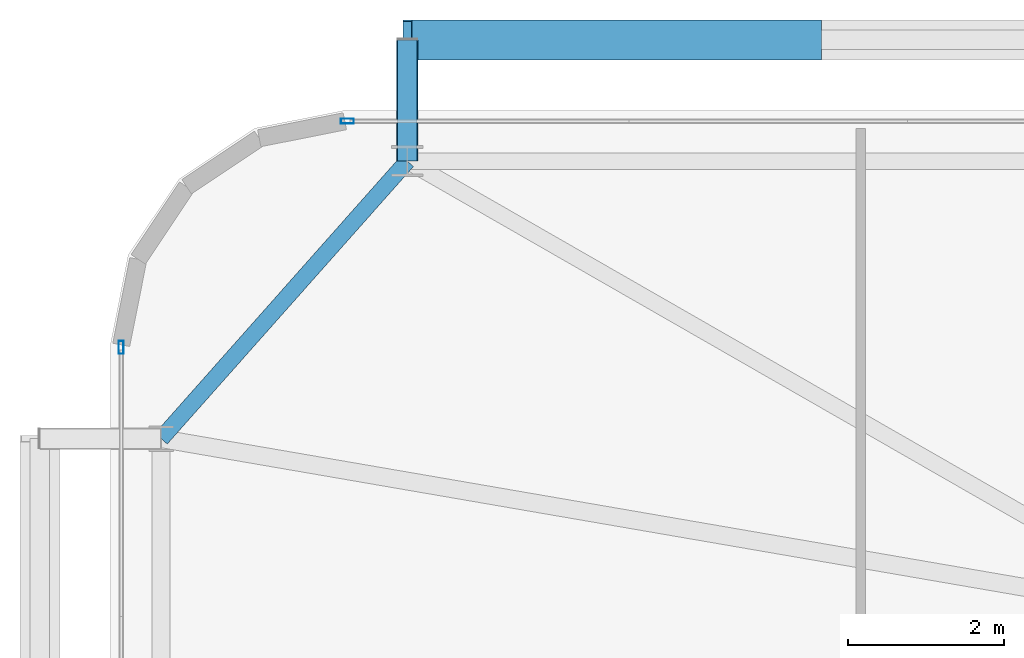
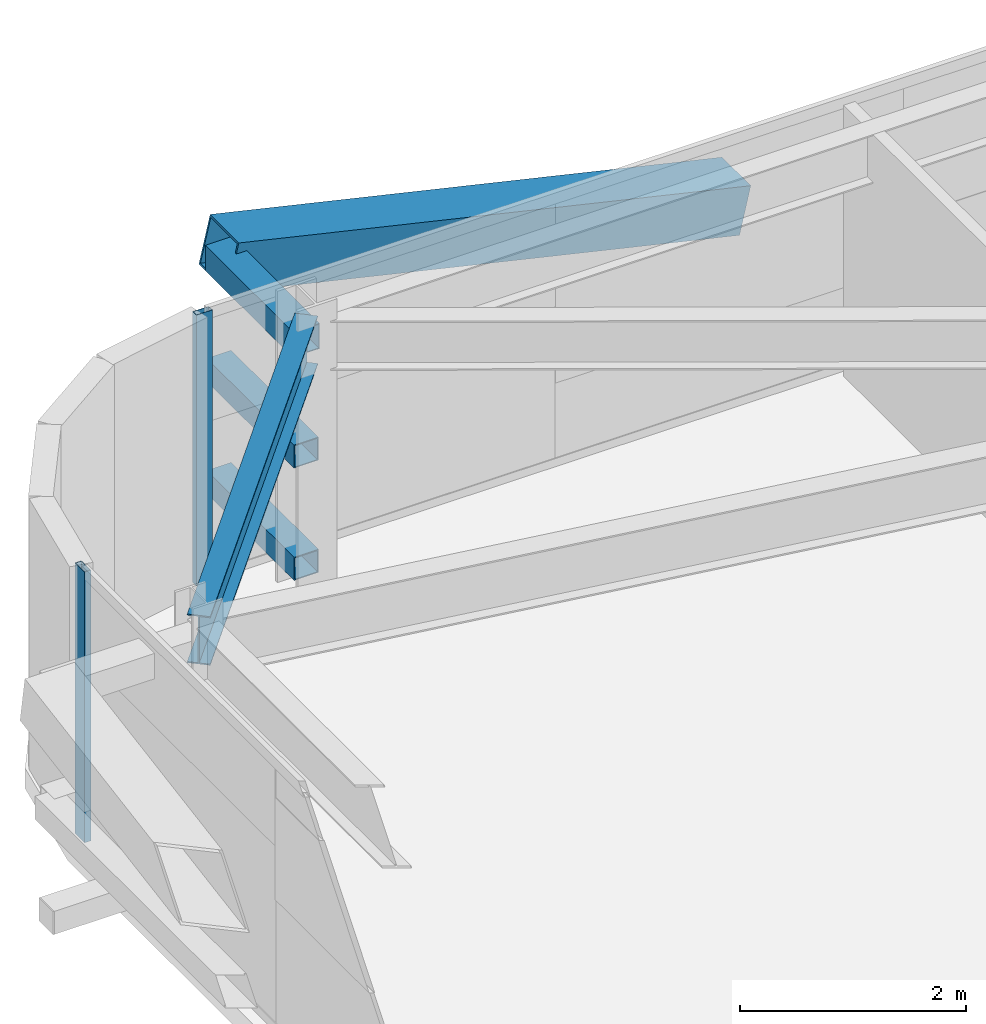
# One storey, part 21 of 44: 6 members, 1 beam, 2 elements without a shape of their own.
"""IFC4 building model written with IfcOpenShell, lengths in metres."""

from ifc_helpers import new_model, si_unit, direction, frame, origin, origin_2d, place, context, subcontext, project, spatial, hollow_rectangle, i_section, extrude, source, transform, mapped, material, layer, layer_set, material_profile, profile_set, type_object, element, aggregate, save


model = new_model("IFC4")

# Units and contexts
model_context = context("Model", 3, precision=1e-05, world=origin(), true_north=direction((0.0, 1.0)))
body_context = subcontext(model_context, "Body", "Model", "MODEL_VIEW")
ifc_project = project(units=[si_unit("LENGTHUNIT", "METRE"), si_unit("AREAUNIT", "SQUARE_METRE"), si_unit("VOLUMEUNIT", "CUBIC_METRE"), si_unit("PLANEANGLEUNIT", "RADIAN"), si_unit("MASSUNIT", "GRAM", prefix="KILO")], contexts=[model_context])

# Site, building, storey
site_placement = place(None, origin())
site = spatial("IfcSite", under=ifc_project, at=site_placement, CompositionType="ELEMENT")
building_placement = place(site_placement, origin())
building = spatial("IfcBuilding", under=site, at=building_placement, Name="Taldren Reach Tower", CompositionType="ELEMENT")
storey_placement = place(building_placement, frame((0.0, 0.0, 38.85009765625)))
storey = spatial("IfcBuildingStorey", under=building, at=storey_placement, Name="L11", CompositionType="ELEMENT", Elevation=38.85009765625)

# Beam
ifc_material_1 = material(Name="Steel Gr 350 (350PLUS)", Category="steel")
ifc_material_profile_1 = material_profile(ifc_material_1, i_section(OverallWidth=0.208984375, OverallDepth=0.528076171875, WebThickness=0.009521484375, FlangeThickness=0.01318359375, at=origin_2d()), Name="530UB82.0")
ifc_profile_set_1 = profile_set([ifc_material_profile_1], Name="Steel Gr 350 (350PLUS)")
beam_type = type_object("IfcBeamType", Name="SP-UB530B", PredefinedType="SPANDREL", material=ifc_profile_set_1)
shared_shape_1 = source(origin(), body_context, "Body", "SweptSolid", [
    extrude(i_section(OverallWidth=0.208984375, OverallDepth=0.528076171875, WebThickness=0.009521484375, FlangeThickness=0.01318359375, at=origin_2d()), origin(), (0.0, 0.0, 1.0), 4.74609375),
])
beam_placement = place(storey_placement, frame((8.800048828125, 37.85009765625, 2.666015625), z_axis=(-0.663721843779, -0.747979487747, 0.0), x_axis=(0.747979487747, -0.663721843779, 0.0)))
element("IfcBeam", 1, at=beam_placement, inside=storey, type_object=beam_type, Name="Perimeter spandrel B1 N1-W3 L11", PredefinedType="SPANDREL", context=body_context, shape_type="MappedRepresentation", body=[
    mapped(shared_shape_1, transform((0.0, 0.0, 0.0), scale=1.0)),
])

# Members
ifc_material_2 = material(Name="Steel Gr 450 (C450L0)", Category="steel")
ifc_material_profile_2 = material_profile(ifc_material_2, hollow_rectangle(XDim=0.27490234375, YDim=0.27490234375, WallThickness=0.00927734375, at=origin_2d()), Name="275x275x9.3SHS")
ifc_profile_set_2 = profile_set([ifc_material_profile_2], Name="Steel Gr 450 (C450L0)")
member_type_1 = type_object("IfcMemberType", Name="MB-TIE273", PredefinedType="STRUT", material=ifc_profile_set_2)
shared_shape_2 = source(origin(), body_context, "Body", "SweptSolid", [
    extrude(hollow_rectangle(XDim=0.27490234375, YDim=0.27490234375, WallThickness=0.00927734375, at=origin_2d()), origin(), (0.0, 0.0, 1.0), 1.5498046875),
])
member_1_placement = place(storey_placement, frame((8.800048828125, 37.85009765625, 2.64990234375), z_axis=(0.0, 1.0, 0.0), x_axis=(-1.0, 0.0, 0.0)))
element("IfcMember", 2, at=member_1_placement, inside=storey, type_object=member_type_1, Name="Exoskeleton diaphragm tie strut B1-N1 L11", PredefinedType="STRUT", context=body_context, shape_type="MappedRepresentation", body=[
    mapped(shared_shape_2, transform((0.0, 0.0, 0.0), scale=1.0)),
])
ifc_material_profile_3 = material_profile(ifc_material_2, hollow_rectangle(XDim=0.510009765625, YDim=0.510009765625, WallThickness=0.02001953125, at=origin_2d()), Name="510x510x20.0SHS")
ifc_profile_set_3 = profile_set([ifc_material_profile_3], Name="Steel Gr 450 (C450L0)")
member_type_2 = type_object("IfcMemberType", Name="MB-EXO508", PredefinedType="BRACE", material=ifc_profile_set_3)
shared_shape_3 = source(origin(), body_context, "Body", "SweptSolid", [
    extrude(hollow_rectangle(XDim=0.510009765625, YDim=0.510009765625, WallThickness=0.02001953125, at=origin_2d()), origin(), (0.0, 0.0, 1.0), 5.37890625),
])
member_2_placement = place(storey_placement, frame((14.0400390625, 39.39990234375, 1.434814453125), z_axis=(-0.97415197996, 0.0, 0.225893603143), x_axis=(0.0, -1.0, 0.0)))
element("IfcMember", 3, at=member_2_placement, inside=storey, type_object=member_type_2, Name="Exoskeleton Diagrid Brace B1-N1 L11", PredefinedType="BRACE", context=body_context, shape_type="MappedRepresentation", body=[
    mapped(shared_shape_3, transform((0.0, 0.0, 0.0), scale=1.0)),
])
ifc_material_3 = material(Name="Steel Gr 350 (C350L0)", Category="steel")
ifc_material_profile_4 = material_profile(ifc_material_3, hollow_rectangle(XDim=0.25, YDim=0.25, WallThickness=0.010009765625, at=origin_2d()), Name="250x250x10.0SHS")
ifc_profile_set_4 = profile_set([ifc_material_profile_4], Name="Steel Gr 350 (C350L0)")
member_type_3 = type_object("IfcMemberType", Name="MB-POST250", PredefinedType="POST", material=ifc_profile_set_4)
shared_shape_4 = source(origin(), body_context, "Body", "SweptSolid", [
    extrude(hollow_rectangle(XDim=0.25, YDim=0.25, WallThickness=0.010009765625, at=origin_2d()), origin(), (0.0, 0.0, 1.0), 1.5498046875),
])
for number, where, z_axis, x_axis, name in (
    (4, (8.800048828125, 37.85009765625, 0.219970703125), (0.0, 1.0, 0.0), (-1.0, 0.0, 0.0), "Exoskeleton base diaphragm tie strut B1-N1 L11"),
    (5, (8.800048828125, 37.85009765625, 1.434814453125), (0.0, 1.0, 0.0), (-1.0, 0.0, 0.0), "Exoskeleton mid-tier diaphragm tie B1-N1 L11"),
):
    element("IfcMember", number, at=place(storey_placement, frame(where, z_axis=z_axis, x_axis=x_axis)), inside=storey, type_object=member_type_3, Name=name, PredefinedType="POST", context=body_context, shape_type="MappedRepresentation", body=[
        mapped(shared_shape_4, transform((0.0, 0.0, 0.0), scale=1.0)),
    ])

# Curtain wall, member
ifc_material_4 = material(Name="Aluminium and Low-E Glass Unitised System", Category="aluminium")
ifc_layer = layer(ifc_material_4, 0.159912109375)
ifc_layer_set = layer_set([ifc_layer], Name="Aluminium and Low-E Glass Unitised System")
curtain_wall_type = type_object("IfcCurtainWallType", Name="CW-SYS-2", PredefinedType="NOTDEFINED", material=ifc_layer_set)
curtain_wall_1_placement = place(storey_placement, origin())
curtain_wall_1 = element("IfcCurtainWall", 6, at=curtain_wall_1_placement, inside=storey, type_object=curtain_wall_type, Name="Unitised curtain wall CW-L11-N", PredefinedType="NOTDEFINED")
ifc_material_5 = material(Name="Anodised Aluminium 6063-T6", Category="aluminium")
ifc_material_profile_5 = material_profile(ifc_material_5, hollow_rectangle(XDim=0.06494140625, YDim=0.1650390625, WallThickness=0.00390625, at=origin_2d()), Name="ALU-165x65x4RHS")
ifc_profile_set_5 = profile_set([ifc_material_profile_5], Name="Anodised Aluminium 6063-T6")
member_type_4 = type_object("IfcMemberType", Name="CW-MUL-165", PredefinedType="MULLION", material=ifc_profile_set_5)
shared_shape_5 = source(origin(), body_context, "Body", "SweptSolid", [
    extrude(hollow_rectangle(XDim=0.06494140625, YDim=0.1650390625, WallThickness=0.00390625, at=origin_2d()), origin(), (0.0, 0.0, 1.0), 2.929931640625),
])
member_3_placement = place(storey_placement, frame((8.032470703125, 38.360107421875, 0.0), z_axis=(0.0, 0.0, 1.0), x_axis=(0.0, -1.0, 0.0)))
member_3 = element("IfcMember", 7, at=member_3_placement, type_object=member_type_4, Name="CW-2 mullion 6", PredefinedType="MULLION", context=body_context, shape_type="MappedRepresentation", body=[
    mapped(shared_shape_5, transform((0.0, 0.0, 0.0), scale=1.0)),
])
aggregate(curtain_wall_1, [member_3])

curtain_wall_2_placement = place(storey_placement, origin())
curtain_wall_2 = element("IfcCurtainWall", 8, at=curtain_wall_2_placement, inside=storey, type_object=curtain_wall_type, Name="Unitised curtain wall CW-L11-W", PredefinedType="NOTDEFINED")
member_4_placement = place(storey_placement, frame((5.139892578125, 35.467529296875, 0.0), z_axis=(0.0, 0.0, 1.0), x_axis=(1.0, 0.0, 0.0)))
member_4 = element("IfcMember", 9, at=member_4_placement, type_object=member_type_4, Name="CW-2 mullion 1", PredefinedType="MULLION", context=body_context, shape_type="MappedRepresentation", body=[
    mapped(shared_shape_5, transform((0.0, 0.0, 0.0), scale=1.0)),
])
aggregate(curtain_wall_2, [member_4])

save(model, "model.ifc")
